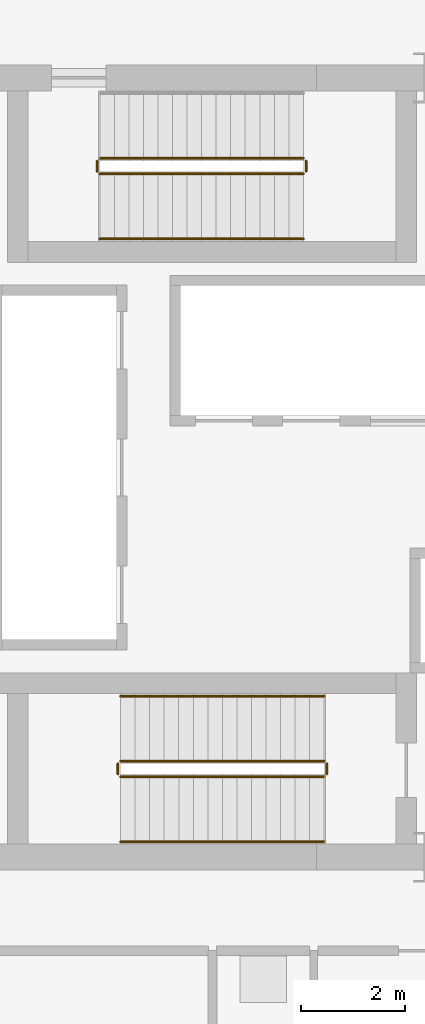
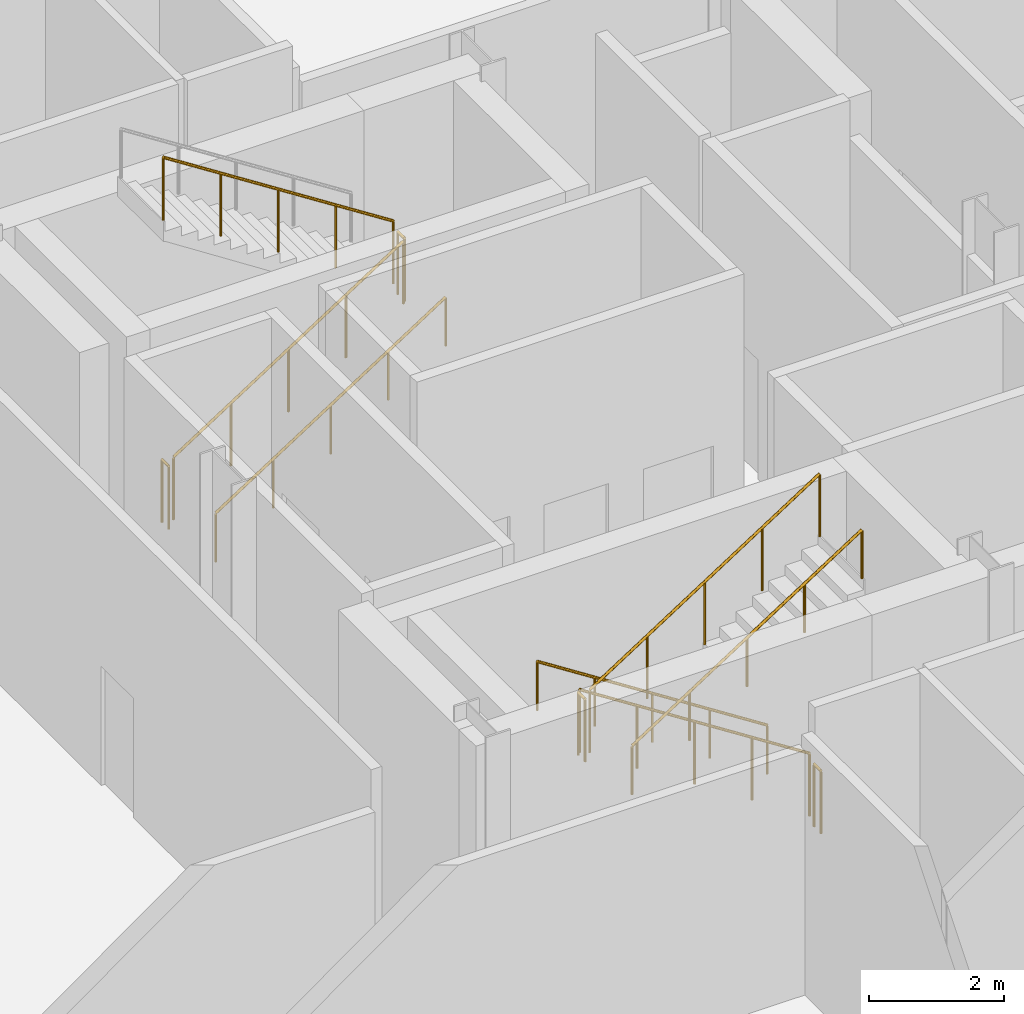
# One storey, part 18 of 22: 11 railings.
"""IFC4 building model written with IfcOpenShell, lengths in metres."""

from ifc_helpers import new_model, si_unit, direction, frame, origin, origin_2d, place, context, subcontext, project, spatial, circle, extrude, material, type_object, element, save


model = new_model("IFC4")

# Units and contexts
model_context = context("Model", 3, precision=1e-05, world=origin(), true_north=direction((0.0, 1.0)))
body_context = subcontext(model_context, "Body", "Model", "MODEL_VIEW")
ifc_project = project(units=[si_unit("LENGTHUNIT", "METRE"), si_unit("AREAUNIT", "SQUARE_METRE"), si_unit("VOLUMEUNIT", "CUBIC_METRE"), si_unit("PLANEANGLEUNIT", "RADIAN"), si_unit("MASSUNIT", "GRAM", prefix="KILO")], contexts=[model_context])

# Site, building, storey
site_placement = place(None, origin())
site = spatial("IfcSite", under=ifc_project, at=site_placement, CompositionType="ELEMENT")
building_placement = place(site_placement, origin())
building = spatial("IfcBuilding", under=site, at=building_placement, Name="Barlavira Tower and Art Museum", CompositionType="ELEMENT")
storey_placement = place(building_placement, frame((0.0, 0.0, 16.800048828125)))
storey = spatial("IfcBuildingStorey", under=building, at=storey_placement, Name="L03", CompositionType="ELEMENT", Elevation=16.800048828125)

# Railings
ifc_material = material(Name="Brushed stainless steel", Category="steel")
railing_type_1 = type_object("IfcRailingType", Name="Interior Void and Landing Guard Railing 1150", PredefinedType="GUARDRAIL", material=ifc_material)
railing_1_placement = place(storey_placement, frame((0.14990234375, -5.64990234375, 0.179931640625)))
element("IfcRailing", 1, at=railing_1_placement, inside=storey, type_object=railing_type_1, Name="L03 ST-T1 stair guard 1", PredefinedType="GUARDRAIL", context=body_context, shape_type="SweptSolid", body=[
    extrude(circle(Radius=0.02392578125, at=origin_2d()), frame((0.0, 0.0, 1.1259765625), z_axis=(-0.841171666519, 0.0, 0.540768182723), x_axis=(0.0, -1.0, 0.0)), (0.0, 0.0, 1.0), 4.66015625),
    extrude(circle(Radius=0.02099609375, at=origin_2d()), origin(), (0.0, 0.0, 1.0), 1.101806640625),
    extrude(circle(Radius=0.02099609375, at=origin_2d()), frame((-0.97998046875, 0.0, 0.6298828125)), (0.0, 0.0, 1.0), 1.101806640625),
    extrude(circle(Radius=0.02099609375, at=origin_2d()), frame((-1.9599609375, 0.0, 1.260009765625)), (0.0, 0.0, 1.0), 1.101806640625),
    extrude(circle(Radius=0.02099609375, at=origin_2d()), frame((-2.93994140625, 0.0, 1.89013671875)), (0.0, 0.0, 1.0), 1.101806640625),
    extrude(circle(Radius=0.02099609375, at=origin_2d()), frame((-3.919921875, 0.0, 2.52001953125)), (0.0, 0.0, 1.0), 1.101806640625),
])
railing_2_placement = place(storey_placement, frame((-3.820068359375, -5.699951171875, 2.699951171875)))
element("IfcRailing", 2, at=railing_2_placement, inside=storey, type_object=railing_type_1, Name="L03 ST-T1 stair guard 2", PredefinedType="GUARDRAIL", context=body_context, shape_type="SweptSolid", body=[
    extrude(circle(Radius=0.02392578125, at=origin_2d()), frame((0.0, 0.0, 1.1259765625), z_axis=(0.0, -1.0, 0.0), x_axis=(1.0, 0.0, 0.0)), (0.0, 0.0, 1.0), 0.199951171875),
    extrude(circle(Radius=0.02099609375, at=origin_2d()), origin(), (0.0, 0.0, 1.0), 1.101806640625),
    extrude(circle(Radius=0.02099609375, at=origin_2d()), frame((0.0, -0.199951171875, 0.0)), (0.0, 0.0, 1.0), 1.101806640625),
])
railing_3_placement = place(storey_placement, frame((-3.77001953125, -5.949951171875, 2.8798828125)))
element("IfcRailing", 3, at=railing_3_placement, inside=storey, type_object=railing_type_1, Name="L03 ST-T1 stair guard 3", PredefinedType="GUARDRAIL", context=body_context, shape_type="SweptSolid", body=[
    extrude(circle(Radius=0.02392578125, at=origin_2d()), frame((0.0, 0.0, 1.1259765625), z_axis=(0.841171666519, 0.0, 0.540768182723), x_axis=(0.0, 1.0, 0.0)), (0.0, 0.0, 1.0), 4.66015625),
    extrude(circle(Radius=0.02099609375, at=origin_2d()), origin(), (0.0, 0.0, 1.0), 1.101806640625),
    extrude(circle(Radius=0.02099609375, at=origin_2d()), frame((0.97998046875, 0.0, 0.6298828125)), (0.0, 0.0, 1.0), 1.101806640625),
    extrude(circle(Radius=0.02099609375, at=origin_2d()), frame((1.9599609375, 0.0, 1.260009765625)), (0.0, 0.0, 1.0), 1.101806640625),
    extrude(circle(Radius=0.02099609375, at=origin_2d()), frame((2.93994140625, 0.0, 1.89013671875)), (0.0, 0.0, 1.0), 1.101806640625),
    extrude(circle(Radius=0.02099609375, at=origin_2d()), frame((3.919921875, 0.0, 2.52001953125)), (0.0, 0.0, 1.0), 1.101806640625),
])
railing_4_placement = place(storey_placement, frame((0.199951171875, -5.699951171875, 0.0)))
element("IfcRailing", 4, at=railing_4_placement, inside=storey, type_object=railing_type_1, Name="L03 ST-T1 stair guard 4", PredefinedType="GUARDRAIL", context=body_context, shape_type="SweptSolid", body=[
    extrude(circle(Radius=0.02392578125, at=origin_2d()), frame((0.0, 0.0, 1.1259765625), z_axis=(0.0, -1.0, 0.0), x_axis=(1.0, 0.0, 0.0)), (0.0, 0.0, 1.0), 0.199951171875),
    extrude(circle(Radius=0.02099609375, at=origin_2d()), origin(), (0.0, 0.0, 1.0), 1.101806640625),
    extrude(circle(Radius=0.02099609375, at=origin_2d()), frame((0.0, -0.199951171875, 0.0)), (0.0, 0.0, 1.0), 1.101806640625),
])
railing_5_placement = place(storey_placement, frame((-4.169921875, 5.64990234375, 0.179931640625)))
element("IfcRailing", 5, at=railing_5_placement, inside=storey, type_object=railing_type_1, Name="L03 ST-T2 stair guard 1", PredefinedType="GUARDRAIL", context=body_context, shape_type="SweptSolid", body=[
    extrude(circle(Radius=0.02392578125, at=origin_2d()), frame((0.0, 0.0, 1.1259765625), z_axis=(0.841171666519, 0.0, 0.540768182723), x_axis=(0.0, 1.0, 0.0)), (0.0, 0.0, 1.0), 4.66015625),
    extrude(circle(Radius=0.02099609375, at=origin_2d()), origin(), (0.0, 0.0, 1.0), 1.101806640625),
    extrude(circle(Radius=0.02099609375, at=origin_2d()), frame((0.97998046875, 0.0, 0.6298828125)), (0.0, 0.0, 1.0), 1.101806640625),
    extrude(circle(Radius=0.02099609375, at=origin_2d()), frame((1.9599609375, 0.0, 1.260009765625)), (0.0, 0.0, 1.0), 1.101806640625),
    extrude(circle(Radius=0.02099609375, at=origin_2d()), frame((2.93994140625, 0.0, 1.89013671875)), (0.0, 0.0, 1.0), 1.101806640625),
    extrude(circle(Radius=0.02099609375, at=origin_2d()), frame((3.919921875, 0.0, 2.52001953125)), (0.0, 0.0, 1.0), 1.101806640625),
])
railing_6_placement = place(storey_placement, frame((-0.199951171875, 5.699951171875, 2.699951171875)))
element("IfcRailing", 6, at=railing_6_placement, inside=storey, type_object=railing_type_1, Name="L03 ST-T2 stair guard 2", PredefinedType="GUARDRAIL", context=body_context, shape_type="SweptSolid", body=[
    extrude(circle(Radius=0.02392578125, at=origin_2d()), frame((0.0, 0.0, 1.1259765625), z_axis=(0.0, 1.0, 0.0), x_axis=(-1.0, 0.0, 0.0)), (0.0, 0.0, 1.0), 0.199951171875),
    extrude(circle(Radius=0.02099609375, at=origin_2d()), origin(), (0.0, 0.0, 1.0), 1.101806640625),
    extrude(circle(Radius=0.02099609375, at=origin_2d()), frame((0.0, 0.199951171875, 0.0)), (0.0, 0.0, 1.0), 1.101806640625),
])
railing_7_placement = place(storey_placement, frame((-0.25, 5.949951171875, 2.8798828125)))
element("IfcRailing", 7, at=railing_7_placement, inside=storey, type_object=railing_type_1, Name="L03 ST-T2 stair guard 3", PredefinedType="GUARDRAIL", context=body_context, shape_type="SweptSolid", body=[
    extrude(circle(Radius=0.02392578125, at=origin_2d()), frame((0.0, 0.0, 1.1259765625), z_axis=(-0.841171666519, 0.0, 0.540768182723), x_axis=(0.0, -1.0, 0.0)), (0.0, 0.0, 1.0), 4.66015625),
    extrude(circle(Radius=0.02099609375, at=origin_2d()), origin(), (0.0, 0.0, 1.0), 1.101806640625),
    extrude(circle(Radius=0.02099609375, at=origin_2d()), frame((-0.97998046875, 0.0, 0.6298828125)), (0.0, 0.0, 1.0), 1.101806640625),
    extrude(circle(Radius=0.02099609375, at=origin_2d()), frame((-1.9599609375, 0.0, 1.260009765625)), (0.0, 0.0, 1.0), 1.101806640625),
    extrude(circle(Radius=0.02099609375, at=origin_2d()), frame((-2.93994140625, 0.0, 1.89013671875)), (0.0, 0.0, 1.0), 1.101806640625),
    extrude(circle(Radius=0.02099609375, at=origin_2d()), frame((-3.919921875, 0.0, 2.52001953125)), (0.0, 0.0, 1.0), 1.101806640625),
])
railing_8_placement = place(storey_placement, frame((-4.219970703125, 5.699951171875, 0.0)))
element("IfcRailing", 8, at=railing_8_placement, inside=storey, type_object=railing_type_1, Name="L03 ST-T2 stair guard 4", PredefinedType="GUARDRAIL", context=body_context, shape_type="SweptSolid", body=[
    extrude(circle(Radius=0.02392578125, at=origin_2d()), frame((0.0, 0.0, 1.1259765625), z_axis=(0.0, 1.0, 0.0), x_axis=(-1.0, 0.0, 0.0)), (0.0, 0.0, 1.0), 0.199951171875),
    extrude(circle(Radius=0.02099609375, at=origin_2d()), origin(), (0.0, 0.0, 1.0), 1.101806640625),
    extrude(circle(Radius=0.02099609375, at=origin_2d()), frame((0.0, 0.199951171875, 0.0)), (0.0, 0.0, 1.0), 1.101806640625),
])
railing_type_2 = type_object("IfcRailingType", Name="Stair Pitch Tubular Steel Handrail 920", PredefinedType="HANDRAIL", material=ifc_material)
railing_9_placement = place(storey_placement, frame((0.14990234375, -4.39990234375, 0.179931640625)))
element("IfcRailing", 9, at=railing_9_placement, inside=storey, type_object=railing_type_2, Name="L03 ST-T1 stair handrail 1", PredefinedType="HANDRAIL", context=body_context, shape_type="SweptSolid", body=[
    extrude(circle(Radius=0.02392578125, at=origin_2d()), frame((0.0, 0.0, 0.8759765625), z_axis=(-0.841171666519, 0.0, 0.540768182723), x_axis=(0.0, -1.0, 0.0)), (0.0, 0.0, 1.0), 4.66015625),
    extrude(circle(Radius=0.02099609375, at=origin_2d()), origin(), (0.0, 0.0, 1.0), 0.851806640625),
    extrude(circle(Radius=0.02099609375, at=origin_2d()), frame((-0.97998046875, 0.0, 0.6298828125)), (0.0, 0.0, 1.0), 0.851806640625),
    extrude(circle(Radius=0.02099609375, at=origin_2d()), frame((-1.9599609375, 0.0, 1.260009765625)), (0.0, 0.0, 1.0), 0.851806640625),
    extrude(circle(Radius=0.02099609375, at=origin_2d()), frame((-2.93994140625, 0.0, 1.89013671875)), (0.0, 0.0, 1.0), 0.851806640625),
    extrude(circle(Radius=0.02099609375, at=origin_2d()), frame((-3.919921875, 0.0, 2.52001953125)), (0.0, 0.0, 1.0), 0.851806640625),
])
for number, where, name in (
    (10, (-3.77001953125, -7.199951171875, 2.8798828125), "L03 ST-T1 stair handrail 2"),
    (11, (-4.169921875, 4.39990234375, 0.179931640625), "L03 ST-T2 stair handrail 1"),
):
    element("IfcRailing", number, at=place(storey_placement, frame(where)), inside=storey, type_object=railing_type_2, Name=name, PredefinedType="HANDRAIL", context=body_context, shape_type="SweptSolid", body=[
        extrude(circle(Radius=0.02392578125, at=origin_2d()), frame((0.0, 0.0, 0.8759765625), z_axis=(0.841171666519, 0.0, 0.540768182723), x_axis=(0.0, 1.0, 0.0)), (0.0, 0.0, 1.0), 4.66015625),
        extrude(circle(Radius=0.02099609375, at=origin_2d()), origin(), (0.0, 0.0, 1.0), 0.851806640625),
        extrude(circle(Radius=0.02099609375, at=origin_2d()), frame((0.97998046875, 0.0, 0.6298828125)), (0.0, 0.0, 1.0), 0.851806640625),
        extrude(circle(Radius=0.02099609375, at=origin_2d()), frame((1.9599609375, 0.0, 1.260009765625)), (0.0, 0.0, 1.0), 0.851806640625),
        extrude(circle(Radius=0.02099609375, at=origin_2d()), frame((2.93994140625, 0.0, 1.89013671875)), (0.0, 0.0, 1.0), 0.851806640625),
        extrude(circle(Radius=0.02099609375, at=origin_2d()), frame((3.919921875, 0.0, 2.52001953125)), (0.0, 0.0, 1.0), 0.851806640625),
    ])

save(model, "model.ifc")
